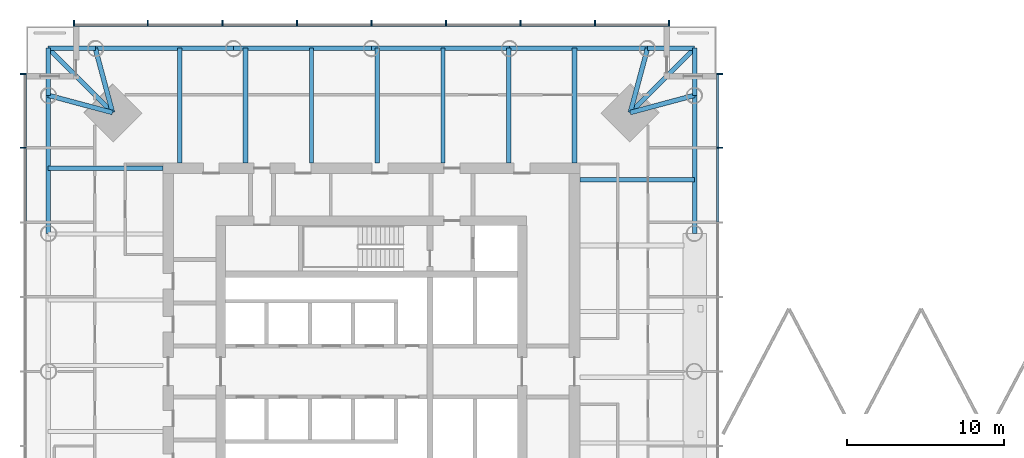
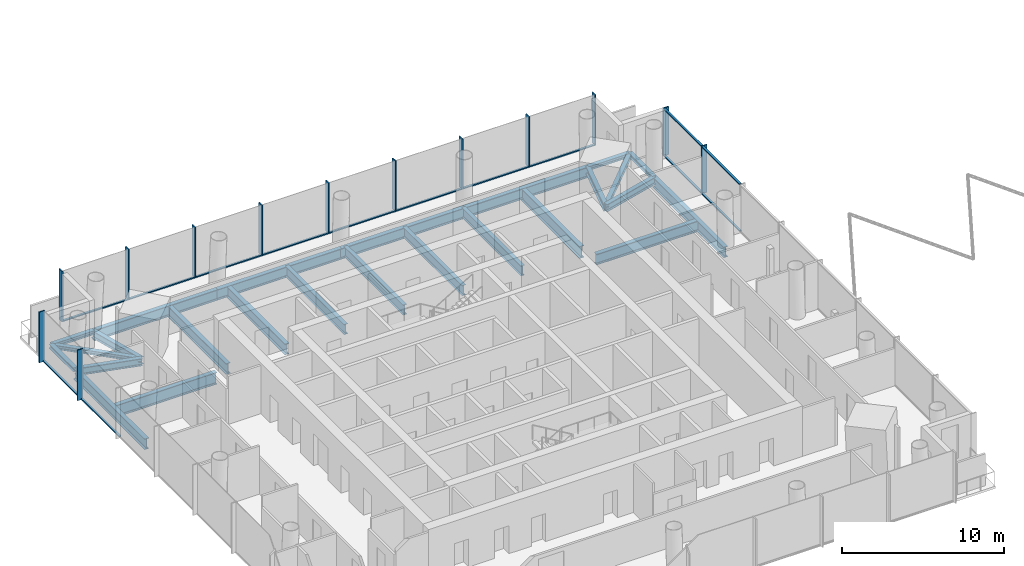
# One storey, part 4 of 19: 27 members, 25 beams, 3 elements without a shape of their own.
"""IFC4 building model written with IfcOpenShell, lengths in metres."""

from ifc_helpers import new_model, si_unit, direction, frame, origin, origin_2d, place, context, subcontext, project, spatial, rectangle, i_section, extrude, material, material_profile, profile_set, type_object, element, aggregate, save


model = new_model("IFC4")

# Units and contexts
model_context = context("Model", 3, precision=1e-05, world=origin(), true_north=direction((0.0, 1.0)))
body_context = subcontext(model_context, "Body", "Model", "MODEL_VIEW")
ifc_project = project(units=[si_unit("LENGTHUNIT", "METRE"), si_unit("AREAUNIT", "SQUARE_METRE"), si_unit("VOLUMEUNIT", "CUBIC_METRE"), si_unit("PLANEANGLEUNIT", "RADIAN"), si_unit("MASSUNIT", "GRAM", prefix="KILO")], contexts=[model_context])

# Site, building, storey
site_placement = place(None, origin())
site = spatial("IfcSite", under=ifc_project, at=site_placement, CompositionType="ELEMENT")
building_placement = place(site_placement, origin())
building = spatial("IfcBuilding", under=site, at=building_placement, Name="Ostroluk Exchange", CompositionType="ELEMENT")
storey_placement = place(building_placement, frame((0.0, 0.0, 127.39990234375)))
storey = spatial("IfcBuildingStorey", under=building, at=storey_placement, Name="L32", CompositionType="ELEMENT", Elevation=127.39990234375)

# Beams
ifc_material_1 = material(Name="Steel S355", Category="steel")
ifc_material_profile_1 = material_profile(ifc_material_1, i_section(OverallWidth=0.300048828125, OverallDepth=0.300048828125, WebThickness=0.010986328125, FlangeThickness=0.01904296875, FilletRadius=0.027099609375, at=origin_2d()), Name="HEB 300")
ifc_profile_set_1 = profile_set([ifc_material_profile_1], Name="Steel S355")
beam_type_1 = type_object("IfcBeamType", Name="Balcony beam HEB 300", PredefinedType="BEAM", material=ifc_profile_set_1)
for number, where, z_axis, x_axis, name in (
    (1, (65.60009765625, 63.60009765625, -0.329833984375), (0.0, 1.0, 0.0), (-1.0, 0.0, 0.0), "T1 east balcony beam a"),
    (2, (62.60009765625, 66.60009765625, -0.329833984375), (1.0, 0.0, 0.0), (0.0, 1.0, 0.0), "T1 east balcony beam b"),
):
    element("IfcBeam", number, at=place(storey_placement, frame(where, z_axis=z_axis, x_axis=x_axis)), inside=storey, type_object=beam_type_1, Name=name, PredefinedType="BEAM", context=body_context, shape_type="SweptSolid", body=[
        extrude(i_section(OverallWidth=0.300048828125, OverallDepth=0.300048828125, WebThickness=0.010986328125, FlangeThickness=0.01904296875, FilletRadius=0.027099609375, at=origin_2d()), origin(), (0.0, 0.0, 1.0), 3.0),
    ])
beam_1_placement = place(storey_placement, frame((61.5, 62.5, -0.329833984375), z_axis=(0.707106781187, 0.707106781187, 0.0), x_axis=(-0.707106781187, 0.707106781187, 0.0)))
element("IfcBeam", 3, at=beam_1_placement, inside=storey, type_object=beam_type_1, Name="T1 east balcony beam c", PredefinedType="BEAM", context=body_context, shape_type="SweptSolid", body=[
    extrude(i_section(OverallWidth=0.300048828125, OverallDepth=0.300048828125, WebThickness=0.010986328125, FlangeThickness=0.01904296875, FilletRadius=0.027099609375, at=origin_2d()), origin(), (0.0, 0.0, 1.0), 5.79833984375),
])
for number, where, z_axis, x_axis, name in (
    (4, (27.39990234375, 66.60009765625, -0.329833984375), (-1.0, 0.0, 0.0), (0.0, -1.0, 0.0), "T1 north balcony beam a"),
    (5, (24.39990234375, 63.60009765625, -0.329833984375), (0.0, 1.0, 0.0), (-1.0, 0.0, 0.0), "T1 north balcony beam b"),
):
    element("IfcBeam", number, at=place(storey_placement, frame(where, z_axis=z_axis, x_axis=x_axis)), inside=storey, type_object=beam_type_1, Name=name, PredefinedType="BEAM", context=body_context, shape_type="SweptSolid", body=[
        extrude(i_section(OverallWidth=0.300048828125, OverallDepth=0.300048828125, WebThickness=0.010986328125, FlangeThickness=0.01904296875, FilletRadius=0.027099609375, at=origin_2d()), origin(), (0.0, 0.0, 1.0), 3.0),
    ])
beam_2_placement = place(storey_placement, frame((28.5, 62.5, -0.329833984375), z_axis=(-0.707106781187, 0.707106781187, 0.0), x_axis=(-0.707106781187, -0.707106781187, 0.0)))
element("IfcBeam", 6, at=beam_2_placement, inside=storey, type_object=beam_type_1, Name="T1 north balcony beam c", PredefinedType="BEAM", context=body_context, shape_type="SweptSolid", body=[
    extrude(i_section(OverallWidth=0.300048828125, OverallDepth=0.300048828125, WebThickness=0.010986328125, FlangeThickness=0.01904296875, FilletRadius=0.027099609375, at=origin_2d()), origin(), (0.0, 0.0, 1.0), 5.79833984375),
])
ifc_material_2 = material(Name="Steel S355", Category="steel")
ifc_material_profile_2 = material_profile(ifc_material_2, i_section(OverallWidth=0.300048828125, OverallDepth=0.550048828125, WebThickness=0.014892578125, FlangeThickness=0.029052734375, FilletRadius=0.027099609375, at=origin_2d()), Name="HEB 550")
ifc_profile_set_2 = profile_set([ifc_material_profile_2], Name="Steel S355")
beam_type_2 = type_object("IfcBeamType", Name="Corner edge beam HEB 550", PredefinedType="SPANDREL", material=ifc_profile_set_2)
for number, where, z_axis, x_axis, name in (
    (7, (61.5, 62.5, -0.454833984375), (0.965838624319, 0.259144268261, 0.0), (-0.259144268261, 0.965838624319, 0.0), "T1 east corner edge beam a"),
    (8, (61.5, 62.5, -0.454833984375), (0.259144268261, 0.965838624319, 0.0), (-0.965838624319, 0.259144268261, 0.0), "T1 east corner edge beam b"),
    (9, (28.5, 62.5, -0.454833984375), (-0.259144268261, 0.965838624319, 0.0), (-0.965838624319, -0.259144268261, 0.0), "T1 north corner edge beam a"),
    (10, (28.5, 62.5, -0.454833984375), (-0.965838624319, 0.259144268261, 0.0), (-0.259144268261, -0.965838624319, 0.0), "T1 north corner edge beam b"),
):
    element("IfcBeam", number, at=place(storey_placement, frame(where, z_axis=z_axis, x_axis=x_axis)), inside=storey, type_object=beam_type_2, Name=name, PredefinedType="SPANDREL", context=body_context, shape_type="SweptSolid", body=[
        extrude(i_section(OverallWidth=0.300048828125, OverallDepth=0.550048828125, WebThickness=0.014892578125, FlangeThickness=0.029052734375, FilletRadius=0.027099609375, at=origin_2d()), origin(), (0.0, 0.0, 1.0), 4.2451171875),
    ])
ifc_material_3 = material(Name="Steel S355", Category="steel")
ifc_material_profile_3 = material_profile(ifc_material_3, i_section(OverallWidth=0.302978515625, OverallDepth=0.81396484375, WebThickness=0.02099609375, FlangeThickness=0.0400390625, FilletRadius=0.030029296875, at=origin_2d()), Name="HEM 800")
ifc_profile_set_3 = profile_set([ifc_material_profile_3], Name="Steel S355")
beam_type_3 = type_object("IfcBeamType", Name="Floor beam HEM 800", PredefinedType="BEAM", material=ifc_profile_set_3)
for number, where, z_axis, x_axis, name in (
    (11, (58.300048828125, 58.21240234375, -0.5869140625), (1.0, 0.0, 0.0), (0.0, 1.0, 0.0), "T1 east floor beam 6"),
    (12, (36.981201171875, 59.300048828125, -0.5869140625), (0.0, 1.0, 0.0), (-1.0, 0.0, 0.0), "T1 north floor beam 5"),
    (13, (32.78759765625, 59.300048828125, -0.5869140625), (0.0, 1.0, 0.0), (-1.0, 0.0, 0.0), "T1 north floor beam 6"),
):
    element("IfcBeam", number, at=place(storey_placement, frame(where, z_axis=z_axis, x_axis=x_axis)), inside=storey, type_object=beam_type_3, Name=name, PredefinedType="BEAM", context=body_context, shape_type="SweptSolid", body=[
        extrude(i_section(OverallWidth=0.302978515625, OverallDepth=0.81396484375, WebThickness=0.02099609375, FlangeThickness=0.0400390625, FilletRadius=0.030029296875, at=origin_2d()), origin(), (0.0, 0.0, 1.0), 7.300048828125),
    ])
ifc_material_4 = material(Name="Steel S355", Category="steel")
ifc_material_profile_4 = material_profile(ifc_material_4, i_section(OverallWidth=0.26708984375, OverallDepth=0.761962890625, WebThickness=0.014404296875, FlangeThickness=0.021484375, FilletRadius=0.01708984375, at=origin_2d()), Name="IPE 750x173")
ifc_profile_set_4 = profile_set([ifc_material_profile_4], Name="Steel S355")
beam_type_4 = type_object("IfcBeamType", Name="Floor beam IPE 750x173", PredefinedType="BEAM", material=ifc_profile_set_4)
for number, where, z_axis, x_axis, name in (
    (14, (53.75634765625, 59.300048828125, -0.560791015625), (0.0, 1.0, 0.0), (-1.0, 0.0, 0.0), "T1 north floor beam 1"),
    (15, (49.5625, 59.300048828125, -0.560791015625), (0.0, 1.0, 0.0), (-1.0, 0.0, 0.0), "T1 north floor beam 2"),
    (16, (45.36865234375, 59.300048828125, -0.560791015625), (0.0, 1.0, 0.0), (-1.0, 0.0, 0.0), "T1 north floor beam 3"),
    (17, (41.175048828125, 59.300048828125, -0.560791015625), (0.0, 1.0, 0.0), (-1.0, 0.0, 0.0), "T1 north floor beam 4"),
):
    element("IfcBeam", number, at=place(storey_placement, frame(where, z_axis=z_axis, x_axis=x_axis)), inside=storey, type_object=beam_type_4, Name=name, PredefinedType="BEAM", context=body_context, shape_type="SweptSolid", body=[
        extrude(i_section(OverallWidth=0.26708984375, OverallDepth=0.761962890625, WebThickness=0.014404296875, FlangeThickness=0.021484375, FilletRadius=0.01708984375, at=origin_2d()), origin(), (0.0, 0.0, 1.0), 7.300048828125),
    ])
ifc_material_5 = material(Name="Steel S355", Category="steel")
ifc_material_profile_5 = material_profile(ifc_material_5, i_section(OverallWidth=0.300048828125, OverallDepth=0.89990234375, WebThickness=0.0185546875, FlangeThickness=0.034912109375, FilletRadius=0.030029296875, at=origin_2d()), Name="HEB 900")
ifc_profile_set_5 = profile_set([ifc_material_profile_5], Name="Steel S355")
beam_type_5 = type_object("IfcBeamType", Name="Girder HEB 900", PredefinedType="BEAM", material=ifc_profile_set_5)
for number, where, z_axis, x_axis, name in (
    (18, (57.949951171875, 59.300048828125, -0.6298828125), (0.0, 1.0, 0.0), (-1.0, 0.0, 0.0), "T1 east girder"),
    (19, (31.699951171875, 58.949951171875, -0.6298828125), (-1.0, 0.0, 0.0), (0.0, -1.0, 0.0), "T1 north girder"),
):
    element("IfcBeam", number, at=place(storey_placement, frame(where, z_axis=z_axis, x_axis=x_axis)), inside=storey, type_object=beam_type_5, Name=name, PredefinedType="BEAM", context=body_context, shape_type="SweptSolid", body=[
        extrude(i_section(OverallWidth=0.300048828125, OverallDepth=0.89990234375, WebThickness=0.0185546875, FlangeThickness=0.034912109375, FilletRadius=0.030029296875, at=origin_2d()), origin(), (0.0, 0.0, 1.0), 7.300048828125),
    ])
ifc_material_6 = material(Name="Steel S355", Category="steel")
ifc_material_profile_6 = material_profile(ifc_material_6, i_section(OverallWidth=0.300048828125, OverallDepth=0.800048828125, WebThickness=0.017578125, FlangeThickness=0.032958984375, FilletRadius=0.030029296875, at=origin_2d()), Name="HEB 800")
ifc_profile_set_6 = profile_set([ifc_material_profile_6], Name="Steel S355")
beam_type_6 = type_object("IfcBeamType", Name="Moment-connected edge beam HEB 800", PredefinedType="SPANDREL", material=ifc_profile_set_6)
for number, where, z_axis, x_axis, name in (
    (20, (65.60009765625, 54.800048828125, -0.579833984375), (0.0, 1.0, 0.0), (-1.0, 0.0, 0.0), "T1 east edge beam 4"),
    (21, (62.60009765625, 66.60009765625, -0.579833984375), (-1.0, 0.0, 0.0), (0.0, -1.0, 0.0), "T1 north edge beam 1"),
    (22, (53.800048828125, 66.60009765625, -0.579833984375), (-1.0, 0.0, 0.0), (0.0, -1.0, 0.0), "T1 north edge beam 2"),
    (23, (45.0, 66.60009765625, -0.579833984375), (-1.0, 0.0, 0.0), (0.0, -1.0, 0.0), "T1 north edge beam 3"),
    (24, (36.199951171875, 66.60009765625, -0.579833984375), (-1.0, 0.0, 0.0), (0.0, -1.0, 0.0), "T1 north edge beam 4"),
    (25, (24.39990234375, 63.60009765625, -0.579833984375), (0.0, -1.0, 0.0), (1.0, 0.0, 0.0), "T1 west edge beam 1"),
):
    element("IfcBeam", number, at=place(storey_placement, frame(where, z_axis=z_axis, x_axis=x_axis)), inside=storey, type_object=beam_type_6, Name=name, PredefinedType="SPANDREL", context=body_context, shape_type="SweptSolid", body=[
        extrude(i_section(OverallWidth=0.300048828125, OverallDepth=0.800048828125, WebThickness=0.017578125, FlangeThickness=0.032958984375, FilletRadius=0.030029296875, at=origin_2d()), origin(), (0.0, 0.0, 1.0), 8.800048828125),
    ])

# Curtain wall, members
ifc_material_7 = material(Name="Laminated clear glass", Category="glass")
curtain_wall_type = type_object("IfcCurtainWallType", Name="Office tower facade", PredefinedType="USERDEFINED", material=ifc_material_7)
curtain_wall_1_placement = place(storey_placement, origin())
curtain_wall_1 = element("IfcCurtainWall", 26, at=curtain_wall_1_placement, inside=storey, type_object=curtain_wall_type, Name="Office tower east facade L32", ObjectType="UNITISED CURTAIN WALL", PredefinedType="USERDEFINED")
ifc_material_8 = material(Name="Aluminium mullion", Category="aluminium")
ifc_material_profile_7 = material_profile(ifc_material_8, rectangle(XDim=0.14990234375, YDim=0.080078125, at=origin_2d()), Name="Sill transom 80 x 150")
ifc_profile_set_7 = profile_set([ifc_material_profile_7], Name="Aluminium mullion")
member_type_1 = type_object("IfcMemberType", Name="Sill transom 80 x 150", PredefinedType="USERDEFINED", material=ifc_profile_set_7)
member_1_placement = place(storey_placement, frame((67.074951171875, 55.5400390625, 0.0400390625), z_axis=(0.0, 1.0, 0.0), x_axis=(-1.0, 0.0, 0.0)))
member_1 = element("IfcMember", 27, at=member_1_placement, type_object=member_type_1, Name="CW-O1 transom 7.1", ObjectType="TRANSOM", PredefinedType="USERDEFINED", context=body_context, shape_type="SweptSolid", body=[
    extrude(rectangle(XDim=0.14990234375, YDim=0.080078125, at=origin_2d()), origin(), (0.0, 0.0, 1.0), 4.669921875),
])
member_2_placement = place(storey_placement, frame((67.074951171875, 55.5400390625, 3.56005859375), z_axis=(0.0, 1.0, 0.0), x_axis=(-1.0, 0.0, 0.0)))
member_2 = element("IfcMember", 28, at=member_2_placement, type_object=member_type_1, Name="CW-O1 transom 7.2", ObjectType="TRANSOM", PredefinedType="USERDEFINED", context=body_context, shape_type="SweptSolid", body=[
    extrude(rectangle(XDim=0.14990234375, YDim=0.080078125, at=origin_2d()), origin(), (0.0, 0.0, 1.0), 4.669921875),
])
member_3_placement = place(storey_placement, frame((67.074951171875, 60.2900390625, 0.0400390625), z_axis=(0.0, 1.0, 0.0), x_axis=(-1.0, 0.0, 0.0)))
member_3 = element("IfcMember", 29, at=member_3_placement, type_object=member_type_1, Name="CW-O1 transom 8.1", ObjectType="TRANSOM", PredefinedType="USERDEFINED", context=body_context, shape_type="SweptSolid", body=[
    extrude(rectangle(XDim=0.14990234375, YDim=0.080078125, at=origin_2d()), origin(), (0.0, 0.0, 1.0), 4.6298828125),
])
member_4_placement = place(storey_placement, frame((67.074951171875, 60.2900390625, 3.56005859375), z_axis=(0.0, 1.0, 0.0), x_axis=(-1.0, 0.0, 0.0)))
member_4 = element("IfcMember", 30, at=member_4_placement, type_object=member_type_1, Name="CW-O1 transom 8.2", ObjectType="TRANSOM", PredefinedType="USERDEFINED", context=body_context, shape_type="SweptSolid", body=[
    extrude(rectangle(XDim=0.14990234375, YDim=0.080078125, at=origin_2d()), origin(), (0.0, 0.0, 1.0), 4.6298828125),
])

curtain_wall_2_placement = place(storey_placement, origin())
curtain_wall_2 = element("IfcCurtainWall", 31, at=curtain_wall_2_placement, inside=storey, type_object=curtain_wall_type, Name="Office tower north facade L32", ObjectType="UNITISED CURTAIN WALL", PredefinedType="USERDEFINED")
member_5_placement = place(storey_placement, frame((63.919921875, 68.074951171875, 0.0400390625), z_axis=(-1.0, 0.0, 0.0), x_axis=(0.0, -1.0, 0.0)))
member_5 = element("IfcMember", 32, at=member_5_placement, type_object=member_type_1, Name="CW-O1 transom 1.1", ObjectType="TRANSOM", PredefinedType="USERDEFINED", context=body_context, shape_type="SweptSolid", body=[
    extrude(rectangle(XDim=0.14990234375, YDim=0.080078125, at=origin_2d()), origin(), (0.0, 0.0, 1.0), 4.6298828125),
])
member_6_placement = place(storey_placement, frame((59.2099609375, 68.074951171875, 0.0400390625), z_axis=(-1.0, 0.0, 0.0), x_axis=(0.0, -1.0, 0.0)))
member_6 = element("IfcMember", 33, at=member_6_placement, type_object=member_type_1, Name="CW-O1 transom 2.1", ObjectType="TRANSOM", PredefinedType="USERDEFINED", context=body_context, shape_type="SweptSolid", body=[
    extrude(rectangle(XDim=0.14990234375, YDim=0.080078125, at=origin_2d()), origin(), (0.0, 0.0, 1.0), 4.669921875),
])
member_7_placement = place(storey_placement, frame((54.4599609375, 68.074951171875, 0.0400390625), z_axis=(-1.0, 0.0, 0.0), x_axis=(0.0, -1.0, 0.0)))
member_7 = element("IfcMember", 34, at=member_7_placement, type_object=member_type_1, Name="CW-O1 transom 3.1", ObjectType="TRANSOM", PredefinedType="USERDEFINED", context=body_context, shape_type="SweptSolid", body=[
    extrude(rectangle(XDim=0.14990234375, YDim=0.080078125, at=origin_2d()), origin(), (0.0, 0.0, 1.0), 4.669921875),
])
member_8_placement = place(storey_placement, frame((49.7099609375, 68.074951171875, 0.0400390625), z_axis=(-1.0, 0.0, 0.0), x_axis=(0.0, -1.0, 0.0)))
member_8 = element("IfcMember", 35, at=member_8_placement, type_object=member_type_1, Name="CW-O1 transom 4.1", ObjectType="TRANSOM", PredefinedType="USERDEFINED", context=body_context, shape_type="SweptSolid", body=[
    extrude(rectangle(XDim=0.14990234375, YDim=0.080078125, at=origin_2d()), origin(), (0.0, 0.0, 1.0), 4.669921875),
])
member_9_placement = place(storey_placement, frame((44.9599609375, 68.074951171875, 0.0400390625), z_axis=(-1.0, 0.0, 0.0), x_axis=(0.0, -1.0, 0.0)))
member_9 = element("IfcMember", 36, at=member_9_placement, type_object=member_type_1, Name="CW-O1 transom 5.1", ObjectType="TRANSOM", PredefinedType="USERDEFINED", context=body_context, shape_type="SweptSolid", body=[
    extrude(rectangle(XDim=0.14990234375, YDim=0.080078125, at=origin_2d()), origin(), (0.0, 0.0, 1.0), 4.669921875),
])
member_10_placement = place(storey_placement, frame((40.2099609375, 68.074951171875, 0.0400390625), z_axis=(-1.0, 0.0, 0.0), x_axis=(0.0, -1.0, 0.0)))
member_10 = element("IfcMember", 37, at=member_10_placement, type_object=member_type_1, Name="CW-O1 transom 6.1", ObjectType="TRANSOM", PredefinedType="USERDEFINED", context=body_context, shape_type="SweptSolid", body=[
    extrude(rectangle(XDim=0.14990234375, YDim=0.080078125, at=origin_2d()), origin(), (0.0, 0.0, 1.0), 4.669921875),
])
member_11_placement = place(storey_placement, frame((35.4599609375, 68.074951171875, 0.0400390625), z_axis=(-1.0, 0.0, 0.0), x_axis=(0.0, -1.0, 0.0)))
member_11 = element("IfcMember", 38, at=member_11_placement, type_object=member_type_1, Name="CW-O1 transom 7.1", ObjectType="TRANSOM", PredefinedType="USERDEFINED", context=body_context, shape_type="SweptSolid", body=[
    extrude(rectangle(XDim=0.14990234375, YDim=0.080078125, at=origin_2d()), origin(), (0.0, 0.0, 1.0), 4.669921875),
])
member_12_placement = place(storey_placement, frame((30.7099609375, 68.074951171875, 0.0400390625), z_axis=(-1.0, 0.0, 0.0), x_axis=(0.0, -1.0, 0.0)))
member_12 = element("IfcMember", 39, at=member_12_placement, type_object=member_type_1, Name="CW-O1 transom 8.1", ObjectType="TRANSOM", PredefinedType="USERDEFINED", context=body_context, shape_type="SweptSolid", body=[
    extrude(rectangle(XDim=0.14990234375, YDim=0.080078125, at=origin_2d()), origin(), (0.0, 0.0, 1.0), 4.6298828125),
])

curtain_wall_3_placement = place(storey_placement, origin())
curtain_wall_3 = element("IfcCurtainWall", 40, at=curtain_wall_3_placement, inside=storey, type_object=curtain_wall_type, Name="Office tower west facade L32", ObjectType="UNITISED CURTAIN WALL", PredefinedType="USERDEFINED")
member_13_placement = place(storey_placement, frame((22.925048828125, 64.919921875, 0.0400390625), z_axis=(0.0, -1.0, 0.0), x_axis=(1.0, 0.0, 0.0)))
member_13 = element("IfcMember", 41, at=member_13_placement, type_object=member_type_1, Name="CW-O1 transom 1.1", ObjectType="TRANSOM", PredefinedType="USERDEFINED", context=body_context, shape_type="SweptSolid", body=[
    extrude(rectangle(XDim=0.14990234375, YDim=0.080078125, at=origin_2d()), origin(), (0.0, 0.0, 1.0), 4.6298828125),
])
member_14_placement = place(storey_placement, frame((22.925048828125, 60.2099609375, 0.0400390625), z_axis=(0.0, -1.0, 0.0), x_axis=(1.0, 0.0, 0.0)))
member_14 = element("IfcMember", 42, at=member_14_placement, type_object=member_type_1, Name="CW-O1 transom 2.1", ObjectType="TRANSOM", PredefinedType="USERDEFINED", context=body_context, shape_type="SweptSolid", body=[
    extrude(rectangle(XDim=0.14990234375, YDim=0.080078125, at=origin_2d()), origin(), (0.0, 0.0, 1.0), 4.669921875),
])

# Member
ifc_material_9 = material(Name="Aluminium mullion with limestone facing", Category="masonry")
ifc_material_profile_8 = material_profile(ifc_material_9, rectangle(XDim=0.39990234375, YDim=0.080078125, at=origin_2d()), Name="Tracery mullion 80 x 400")
ifc_profile_set_8 = profile_set([ifc_material_profile_8], Name="Aluminium mullion with limestone facing")
member_type_2 = type_object("IfcMemberType", Name="Tracery mullion 80 x 400", PredefinedType="MULLION", material=ifc_profile_set_8)
member_15_placement = place(storey_placement, frame((67.199951171875, 60.25, 0.0), z_axis=(0.0, 0.0, 1.0), x_axis=(-1.0, 0.0, 0.0)))
member_15 = element("IfcMember", 43, at=member_15_placement, type_object=member_type_2, Name="CW-O1 mullion 8", PredefinedType="MULLION", context=body_context, shape_type="SweptSolid", body=[
    extrude(rectangle(XDim=0.39990234375, YDim=0.080078125, at=origin_2d()), origin(), (0.0, 0.0, 1.0), 3.60009765625),
])

member_16_placement = place(storey_placement, frame((67.199951171875, 64.9599609375, 0.0), z_axis=(0.0, 0.0, 1.0), x_axis=(-1.0, 0.0, 0.0)))
member_16 = element("IfcMember", 44, at=member_16_placement, type_object=member_type_2, Name="CW-O1 mullion 9", PredefinedType="MULLION", context=body_context, shape_type="SweptSolid", body=[
    extrude(rectangle(XDim=0.39990234375, YDim=0.080078125, at=origin_2d()), origin(), (0.0, 0.0, 1.0), 3.60009765625),
])

aggregate(curtain_wall_1, [member_15, member_16, member_1, member_2, member_3, member_4])

member_17_placement = place(storey_placement, frame((63.9599609375, 68.199951171875, 0.0), z_axis=(0.0, 0.0, 1.0), x_axis=(0.0, -1.0, 0.0)))
member_17 = element("IfcMember", 45, at=member_17_placement, type_object=member_type_2, Name="CW-O1 mullion 1", PredefinedType="MULLION", context=body_context, shape_type="SweptSolid", body=[
    extrude(rectangle(XDim=0.39990234375, YDim=0.080078125, at=origin_2d()), origin(), (0.0, 0.0, 1.0), 3.800048828125),
])

member_18_placement = place(storey_placement, frame((59.25, 68.199951171875, 0.0), z_axis=(0.0, 0.0, 1.0), x_axis=(0.0, -1.0, 0.0)))
member_18 = element("IfcMember", 46, at=member_18_placement, type_object=member_type_2, Name="CW-O1 mullion 2", PredefinedType="MULLION", context=body_context, shape_type="SweptSolid", body=[
    extrude(rectangle(XDim=0.39990234375, YDim=0.080078125, at=origin_2d()), origin(), (0.0, 0.0, 1.0), 3.800048828125),
])

member_19_placement = place(storey_placement, frame((54.5, 68.199951171875, 0.0), z_axis=(0.0, 0.0, 1.0), x_axis=(0.0, -1.0, 0.0)))
member_19 = element("IfcMember", 47, at=member_19_placement, type_object=member_type_2, Name="CW-O1 mullion 3", PredefinedType="MULLION", context=body_context, shape_type="SweptSolid", body=[
    extrude(rectangle(XDim=0.39990234375, YDim=0.080078125, at=origin_2d()), origin(), (0.0, 0.0, 1.0), 3.800048828125),
])

member_20_placement = place(storey_placement, frame((49.75, 68.199951171875, 0.0), z_axis=(0.0, 0.0, 1.0), x_axis=(0.0, -1.0, 0.0)))
member_20 = element("IfcMember", 48, at=member_20_placement, type_object=member_type_2, Name="CW-O1 mullion 4", PredefinedType="MULLION", context=body_context, shape_type="SweptSolid", body=[
    extrude(rectangle(XDim=0.39990234375, YDim=0.080078125, at=origin_2d()), origin(), (0.0, 0.0, 1.0), 3.800048828125),
])

member_21_placement = place(storey_placement, frame((45.0, 68.199951171875, 0.0), z_axis=(0.0, 0.0, 1.0), x_axis=(0.0, -1.0, 0.0)))
member_21 = element("IfcMember", 49, at=member_21_placement, type_object=member_type_2, Name="CW-O1 mullion 5", PredefinedType="MULLION", context=body_context, shape_type="SweptSolid", body=[
    extrude(rectangle(XDim=0.39990234375, YDim=0.080078125, at=origin_2d()), origin(), (0.0, 0.0, 1.0), 3.800048828125),
])

member_22_placement = place(storey_placement, frame((40.25, 68.199951171875, 0.0), z_axis=(0.0, 0.0, 1.0), x_axis=(0.0, -1.0, 0.0)))
member_22 = element("IfcMember", 50, at=member_22_placement, type_object=member_type_2, Name="CW-O1 mullion 6", PredefinedType="MULLION", context=body_context, shape_type="SweptSolid", body=[
    extrude(rectangle(XDim=0.39990234375, YDim=0.080078125, at=origin_2d()), origin(), (0.0, 0.0, 1.0), 3.800048828125),
])

member_23_placement = place(storey_placement, frame((35.5, 68.199951171875, 0.0), z_axis=(0.0, 0.0, 1.0), x_axis=(0.0, -1.0, 0.0)))
member_23 = element("IfcMember", 51, at=member_23_placement, type_object=member_type_2, Name="CW-O1 mullion 7", PredefinedType="MULLION", context=body_context, shape_type="SweptSolid", body=[
    extrude(rectangle(XDim=0.39990234375, YDim=0.080078125, at=origin_2d()), origin(), (0.0, 0.0, 1.0), 3.800048828125),
])

member_24_placement = place(storey_placement, frame((30.75, 68.199951171875, 0.0), z_axis=(0.0, 0.0, 1.0), x_axis=(0.0, -1.0, 0.0)))
member_24 = element("IfcMember", 52, at=member_24_placement, type_object=member_type_2, Name="CW-O1 mullion 8", PredefinedType="MULLION", context=body_context, shape_type="SweptSolid", body=[
    extrude(rectangle(XDim=0.39990234375, YDim=0.080078125, at=origin_2d()), origin(), (0.0, 0.0, 1.0), 3.800048828125),
])

member_25_placement = place(storey_placement, frame((26.0400390625, 68.199951171875, 0.0), z_axis=(0.0, 0.0, 1.0), x_axis=(0.0, -1.0, 0.0)))
member_25 = element("IfcMember", 53, at=member_25_placement, type_object=member_type_2, Name="CW-O1 mullion 9", PredefinedType="MULLION", context=body_context, shape_type="SweptSolid", body=[
    extrude(rectangle(XDim=0.39990234375, YDim=0.080078125, at=origin_2d()), origin(), (0.0, 0.0, 1.0), 3.800048828125),
])

aggregate(curtain_wall_2, [member_17, member_18, member_19, member_20, member_21, member_22, member_23, member_24, member_25, member_5, member_6, member_7, member_8, member_9, member_10, member_11, member_12])

member_26_placement = place(storey_placement, frame((22.800048828125, 64.9599609375, 0.0), z_axis=(0.0, 0.0, 1.0), x_axis=(1.0, 0.0, 0.0)))
member_26 = element("IfcMember", 54, at=member_26_placement, type_object=member_type_2, Name="CW-O1 mullion 1", PredefinedType="MULLION", context=body_context, shape_type="SweptSolid", body=[
    extrude(rectangle(XDim=0.39990234375, YDim=0.080078125, at=origin_2d()), origin(), (0.0, 0.0, 1.0), 3.800048828125),
])

member_27_placement = place(storey_placement, frame((22.800048828125, 60.25, 0.0), z_axis=(0.0, 0.0, 1.0), x_axis=(1.0, 0.0, 0.0)))
member_27 = element("IfcMember", 55, at=member_27_placement, type_object=member_type_2, Name="CW-O1 mullion 2", PredefinedType="MULLION", context=body_context, shape_type="SweptSolid", body=[
    extrude(rectangle(XDim=0.39990234375, YDim=0.080078125, at=origin_2d()), origin(), (0.0, 0.0, 1.0), 3.800048828125),
])

aggregate(curtain_wall_3, [member_26, member_27, member_13, member_14])

save(model, "model.ifc")
